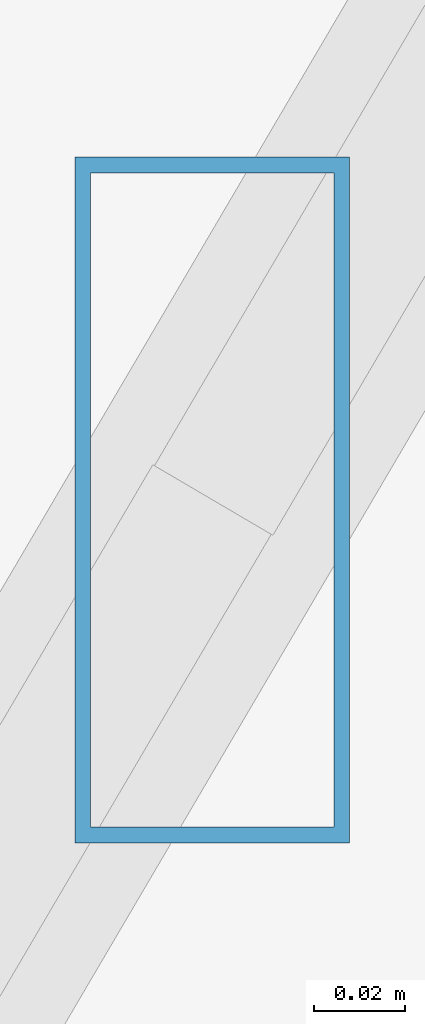
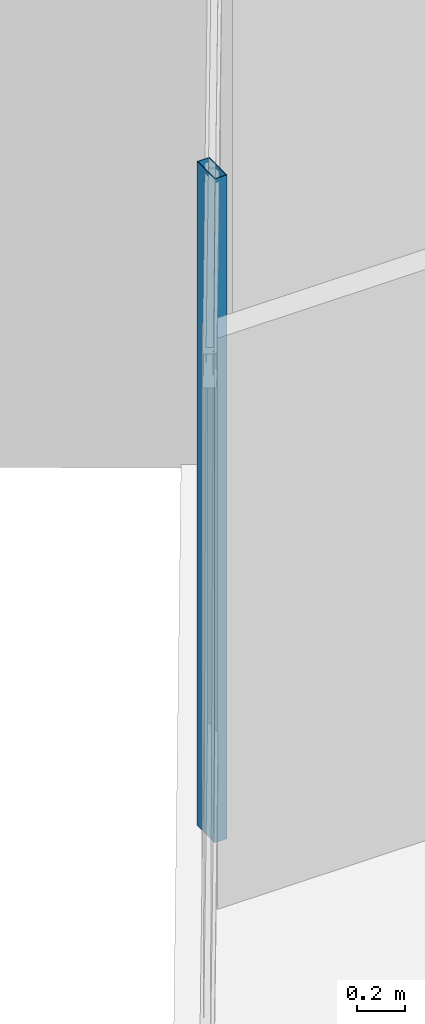
# One storey, part 7 of 42: 1 member, 1 element without a shape of its own.
"""IFC4 building model written with IfcOpenShell, lengths in metres."""

from ifc_helpers import new_model, si_unit, direction, frame, origin, origin_2d, place, context, subcontext, project, spatial, hollow_rectangle, extrude, source, transform, mapped, material, material_profile, profile_set, type_object, type_shapes, element, aggregate, save


model = new_model("IFC4")

# Units and contexts
model_context = context("Model", 3, precision=1e-05, world=origin(), true_north=direction((0.0, 1.0)))
body_context = subcontext(model_context, "Body", "Model", "MODEL_VIEW")
ifc_project = project(units=[si_unit("LENGTHUNIT", "METRE"), si_unit("AREAUNIT", "SQUARE_METRE"), si_unit("VOLUMEUNIT", "CUBIC_METRE"), si_unit("PLANEANGLEUNIT", "RADIAN"), si_unit("MASSUNIT", "GRAM", prefix="KILO")], contexts=[model_context])

# Site, building, storey
site_placement = place(None, origin())
site = spatial("IfcSite", under=ifc_project, at=site_placement, CompositionType="ELEMENT")
building_placement = place(site_placement, origin())
building = spatial("IfcBuilding", under=site, at=building_placement, Name="Caelisora Broadcast Tower", CompositionType="ELEMENT")
storey_placement = place(building_placement, frame((0.0, 0.0, 202.300048828125)))
storey = spatial("IfcBuildingStorey", under=building, at=storey_placement, Name="L53", CompositionType="ELEMENT", Elevation=202.300048828125)

# Curtain wall, member
ifc_material_1 = material(Name="Unitised Aluminium and Low-E Glass Curtain Wall", Category="glass")
curtain_wall_type = type_object("IfcCurtainWallType", Name="CW-Z4", PredefinedType="NOTDEFINED", material=ifc_material_1)
curtain_wall_placement = place(storey_placement, origin())
curtain_wall = element("IfcCurtainWall", 1, at=curtain_wall_placement, inside=storey, type_object=curtain_wall_type, Name="L53 curtain wall CW-Z4", PredefinedType="NOTDEFINED")
ifc_material_2 = material(Name="Aluminium 6063-T6 Anodised Terracotta Bronze", Category="aluminium")
ifc_material_profile = material_profile(ifc_material_2, hollow_rectangle(XDim=0.06005859375, YDim=0.14990234375, WallThickness=0.00341796875, at=origin_2d()), Name="Aluminium 6063-T6 Anodised Terracotta Bronze")
ifc_profile_set = profile_set([ifc_material_profile], Name="Aluminium 6063-T6 Anodised Terracotta Bronze")
member_type = type_object("IfcMemberType", Name="CWM-03", PredefinedType="MULLION", material=ifc_profile_set)
shared_shape = source(origin(), body_context, "Body", "SweptSolid", [
    extrude(hollow_rectangle(XDim=0.06005859375, YDim=0.14990234375, WallThickness=0.00341796875, at=origin_2d()), origin(), (0.0, 0.0, 1.0), 3.39990234375),
])
type_shapes(member_type, [shared_shape])
member_placement = place(storey_placement, frame((14.331787109375, 17.357421875, 0.0), z_axis=(0.0, 0.0, 1.0), x_axis=(1.0, 0.0, 0.0)))
member = element("IfcMember", 2, at=member_placement, type_object=member_type, Name="L53-CW-B09 mullion #1", PredefinedType="MULLION", context=body_context, shape_type="MappedRepresentation", body=[
    mapped(shared_shape, transform((0.0, 0.0, 0.0), scale=1.0)),
])
aggregate(curtain_wall, [member])

save(model, "model.ifc")
